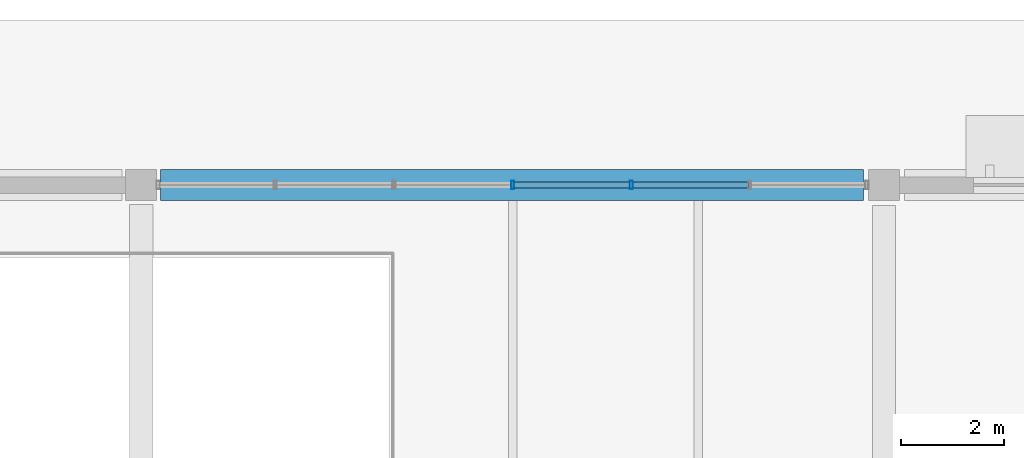
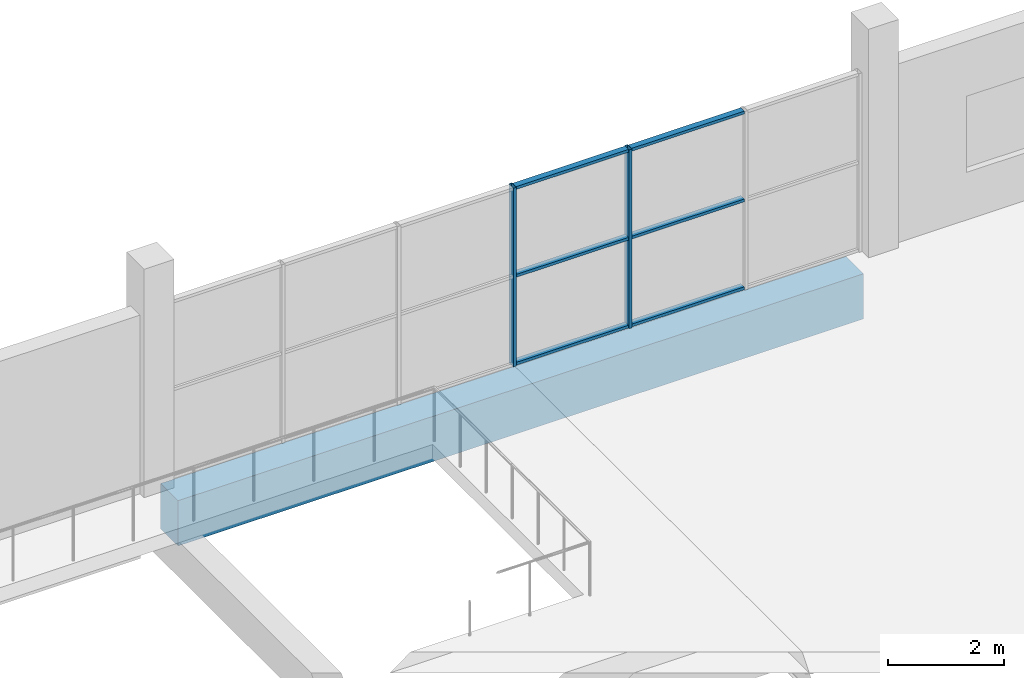
# One storey, part 59 of 130: 8 members, 1 beam, 1 element without a shape of its own.
"""IFC4 building model written with IfcOpenShell, lengths in metres."""

from ifc_helpers import new_model, si_unit, direction, frame, origin, origin_2d, place, context, subcontext, project, spatial, rectangle, hollow_rectangle, extrude, material, material_profile, profile_set, type_object, element, aggregate, save


model = new_model("IFC4")

# Units and contexts
model_context = context("Model", 3, precision=1e-05, world=origin(), true_north=direction((0.0, 1.0)))
body_context = subcontext(model_context, "Body", "Model", "MODEL_VIEW")
ifc_project = project(units=[si_unit("LENGTHUNIT", "METRE"), si_unit("AREAUNIT", "SQUARE_METRE"), si_unit("VOLUMEUNIT", "CUBIC_METRE"), si_unit("PLANEANGLEUNIT", "RADIAN"), si_unit("MASSUNIT", "GRAM", prefix="KILO"), si_unit("THERMODYNAMICTEMPERATUREUNIT", "KELVIN")], contexts=[model_context])

# Site, building, storey
site_placement = place(None, origin())
site = spatial("IfcSite", under=ifc_project, at=site_placement, CompositionType="ELEMENT")
building_placement = place(site_placement, origin())
building = spatial("IfcBuilding", under=site, at=building_placement, Name="Nduvali Passage Aquatics Centre", CompositionType="ELEMENT")
storey_placement = place(building_placement, origin())
storey = spatial("IfcBuildingStorey", under=building, at=storey_placement, Name="L00", CompositionType="ELEMENT", Elevation=0.0)

# Curtain wall, members
ifc_material_1 = material(Name="Aluminium EN AW-6063 T6", Category="aluminium")
curtain_wall_type = type_object("IfcCurtainWallType", Name="ENV-CW-WELL", PredefinedType="NOTDEFINED", material=ifc_material_1)
curtain_wall_placement = place(storey_placement, origin())
curtain_wall = element("IfcCurtainWall", 1, at=curtain_wall_placement, inside=storey, type_object=curtain_wall_type, Name="L00 North Avenue Lobby CW 107", PredefinedType="NOTDEFINED")
ifc_material_profile_1 = material_profile(ifc_material_1, hollow_rectangle(XDim=0.06005859375, YDim=0.159912109375, WallThickness=0.00390625, at=origin_2d()), Name="ALU MULLION 60x160x4")
ifc_profile_set_1 = profile_set([ifc_material_profile_1], Name="Aluminium EN AW-6063 T6")
member_type_1 = type_object("IfcMemberType", Name="ENV-MEM-MUL60", PredefinedType="MULLION", material=ifc_profile_set_1)
member_1_placement = place(storey_placement, frame((90.0, 117.60009765625, 0.0), z_axis=(0.0, 0.0, 1.0), x_axis=(1.0, 0.0, 0.0)))
member_1 = element("IfcMember", 2, at=member_1_placement, type_object=member_type_1, Name="North Avenue Lobby CW Mullion 4", PredefinedType="MULLION", context=body_context, shape_type="SweptSolid", body=[
    extrude(hollow_rectangle(XDim=0.06005859375, YDim=0.159912109375, WallThickness=0.00390625, at=origin_2d()), origin(), (0.0, 0.0, 1.0), 3.75390625),
])
member_2_placement = place(storey_placement, frame((92.300048828125, 117.60009765625, 0.0), z_axis=(0.0, 0.0, 1.0), x_axis=(1.0, 0.0, 0.0)))
member_2 = element("IfcMember", 3, at=member_2_placement, type_object=member_type_1, Name="North Avenue Lobby CW Mullion 5", PredefinedType="MULLION", context=body_context, shape_type="SweptSolid", body=[
    extrude(hollow_rectangle(XDim=0.06005859375, YDim=0.159912109375, WallThickness=0.00390625, at=origin_2d()), origin(), (0.0, 0.0, 1.0), 3.75390625),
])
ifc_material_profile_2 = material_profile(ifc_material_1, hollow_rectangle(XDim=0.1201171875, YDim=0.06005859375, WallThickness=0.00390625, at=origin_2d()), Name="ALU TRANSOM 120x60x4")
ifc_profile_set_2 = profile_set([ifc_material_profile_2], Name="Aluminium EN AW-6063 T6")
member_type_2 = type_object("IfcMemberType", Name="ENV-MEM-TRN60", PredefinedType="USERDEFINED", material=ifc_profile_set_2)
member_3_placement = place(storey_placement, frame((90.030029296875, 117.60009765625, 0.030029296875), z_axis=(1.0, 0.0, 0.0), x_axis=(0.0, 1.0, 0.0)))
member_3 = element("IfcMember", 4, at=member_3_placement, type_object=member_type_2, Name="North Avenue Lobby CW Transom B4-R0", ObjectType="TRANSOM", PredefinedType="USERDEFINED", context=body_context, shape_type="SweptSolid", body=[
    extrude(hollow_rectangle(XDim=0.1201171875, YDim=0.06005859375, WallThickness=0.00390625, at=origin_2d()), origin(), (0.0, 0.0, 1.0), 2.239990234375),
])
member_4_placement = place(storey_placement, frame((90.030029296875, 117.60009765625, 1.876953125), z_axis=(1.0, 0.0, 0.0), x_axis=(0.0, 1.0, 0.0)))
member_4 = element("IfcMember", 5, at=member_4_placement, type_object=member_type_2, Name="North Avenue Lobby CW Transom B4-R1", ObjectType="TRANSOM", PredefinedType="USERDEFINED", context=body_context, shape_type="SweptSolid", body=[
    extrude(hollow_rectangle(XDim=0.1201171875, YDim=0.06005859375, WallThickness=0.00390625, at=origin_2d()), origin(), (0.0, 0.0, 1.0), 2.239990234375),
])
member_5_placement = place(storey_placement, frame((90.030029296875, 117.60009765625, 3.723876953125), z_axis=(1.0, 0.0, 0.0), x_axis=(0.0, 1.0, 0.0)))
member_5 = element("IfcMember", 6, at=member_5_placement, type_object=member_type_2, Name="North Avenue Lobby CW Transom B4-R2", ObjectType="TRANSOM", PredefinedType="USERDEFINED", context=body_context, shape_type="SweptSolid", body=[
    extrude(hollow_rectangle(XDim=0.1201171875, YDim=0.06005859375, WallThickness=0.00390625, at=origin_2d()), origin(), (0.0, 0.0, 1.0), 2.239990234375),
])
member_6_placement = place(storey_placement, frame((92.330078125, 117.60009765625, 0.030029296875), z_axis=(1.0, 0.0, 0.0), x_axis=(0.0, 1.0, 0.0)))
member_6 = element("IfcMember", 7, at=member_6_placement, type_object=member_type_2, Name="North Avenue Lobby CW Transom B5-R0", ObjectType="TRANSOM", PredefinedType="USERDEFINED", context=body_context, shape_type="SweptSolid", body=[
    extrude(hollow_rectangle(XDim=0.1201171875, YDim=0.06005859375, WallThickness=0.00390625, at=origin_2d()), origin(), (0.0, 0.0, 1.0), 2.239990234375),
])
member_7_placement = place(storey_placement, frame((92.330078125, 117.60009765625, 1.876953125), z_axis=(1.0, 0.0, 0.0), x_axis=(0.0, 1.0, 0.0)))
member_7 = element("IfcMember", 8, at=member_7_placement, type_object=member_type_2, Name="North Avenue Lobby CW Transom B5-R1", ObjectType="TRANSOM", PredefinedType="USERDEFINED", context=body_context, shape_type="SweptSolid", body=[
    extrude(hollow_rectangle(XDim=0.1201171875, YDim=0.06005859375, WallThickness=0.00390625, at=origin_2d()), origin(), (0.0, 0.0, 1.0), 2.239990234375),
])
member_8_placement = place(storey_placement, frame((92.330078125, 117.60009765625, 3.723876953125), z_axis=(1.0, 0.0, 0.0), x_axis=(0.0, 1.0, 0.0)))
member_8 = element("IfcMember", 9, at=member_8_placement, type_object=member_type_2, Name="North Avenue Lobby CW Transom B5-R2", ObjectType="TRANSOM", PredefinedType="USERDEFINED", context=body_context, shape_type="SweptSolid", body=[
    extrude(hollow_rectangle(XDim=0.1201171875, YDim=0.06005859375, WallThickness=0.00390625, at=origin_2d()), origin(), (0.0, 0.0, 1.0), 2.239990234375),
])
aggregate(curtain_wall, [member_1, member_2, member_3, member_4, member_5, member_6, member_7, member_8])

# Beam
ifc_material_2 = material(Name="Concrete C40/50", Category="concrete")
ifc_material_profile_3 = material_profile(ifc_material_2, rectangle(XDim=0.60009765625, YDim=0.949951171875, at=origin_2d()), Name="RC 600x950")
ifc_profile_set_3 = profile_set([ifc_material_profile_3], Name="Concrete C40/50")
beam_type = type_object("IfcBeamType", Name="STR-BM-RC6095-EXT", PredefinedType="BEAM", material=ifc_profile_set_3)
beam_placement = place(storey_placement, frame((83.175048828125, 117.60009765625, -0.77490234375), z_axis=(1.0, 0.0, 0.0), x_axis=(0.0, 1.0, 0.0)))
element("IfcBeam", 10, at=beam_placement, inside=storey, type_object=beam_type, Name="L00 Primary X-Girder B1E-0110", PredefinedType="BEAM", context=body_context, shape_type="SweptSolid", body=[
    extrude(rectangle(XDim=0.60009765625, YDim=0.949951171875, at=origin_2d()), origin(), (0.0, 0.0, 1.0), 13.625),
])

save(model, "model.ifc")
